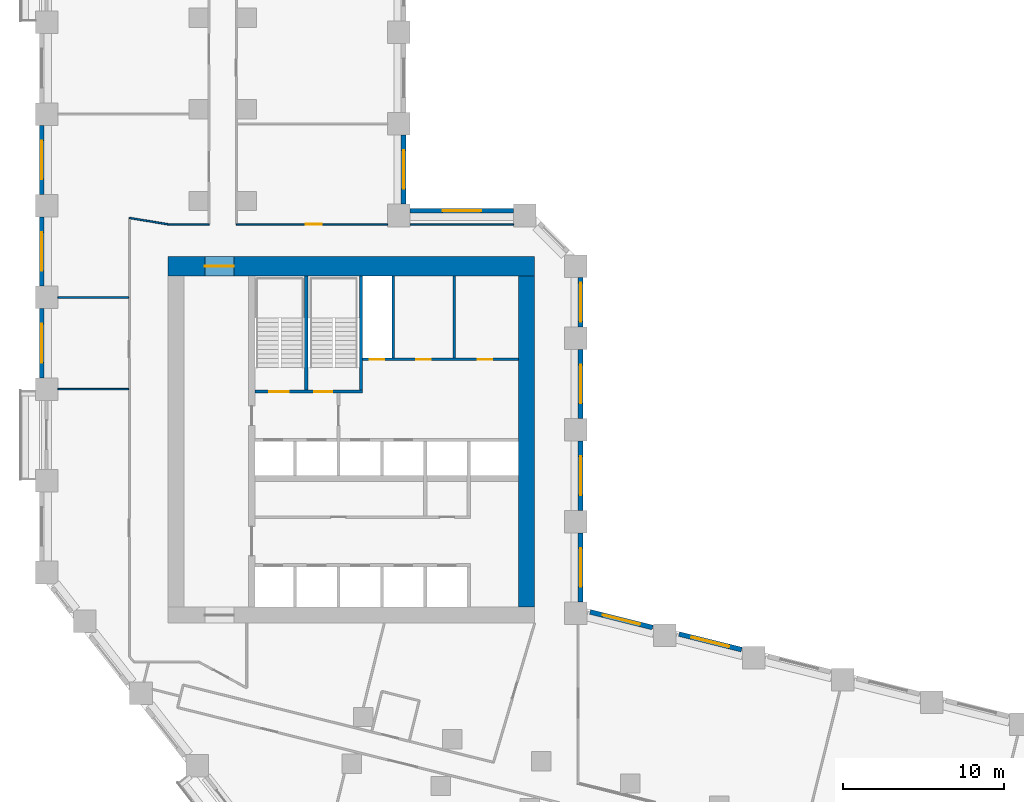
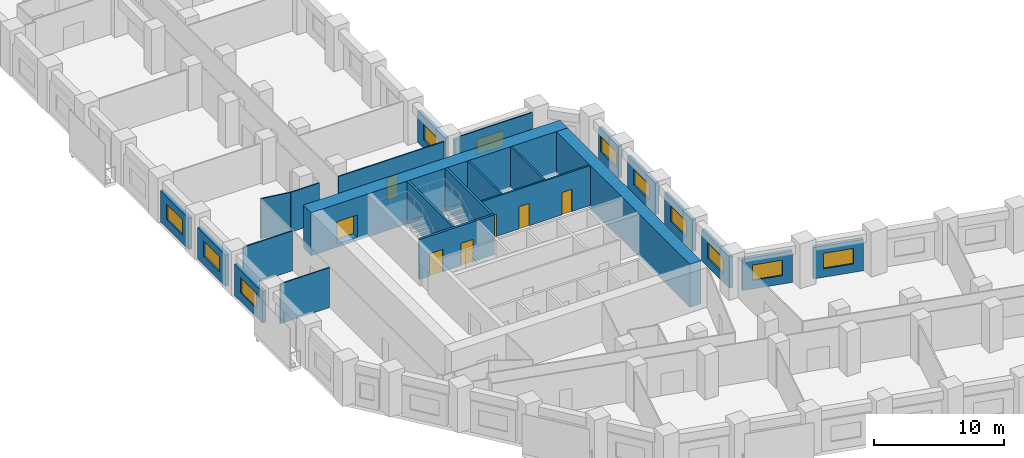
# One storey, part 6 of 12: 25 walls, 11 windows, 7 doors, 18 openings.
"""IFC4 building model written with IfcOpenShell, lengths in metres."""

from ifc_helpers import new_model, si_unit, direction, frame, frame_2d, origin, place, context, subcontext, project, spatial, rectangle, extrude, material, layer, layer_set, type_object, element, fill, save


model = new_model("IFC4")

# Units and contexts
model_context = context("Model", 3, precision=1e-05, world=origin(), true_north=direction((0.0, 1.0)))
body_context = subcontext(model_context, "Body", "Model", "MODEL_VIEW")
ifc_project = project(units=[si_unit("LENGTHUNIT", "METRE"), si_unit("AREAUNIT", "SQUARE_METRE"), si_unit("VOLUMEUNIT", "CUBIC_METRE"), si_unit("PLANEANGLEUNIT", "RADIAN"), si_unit("MASSUNIT", "GRAM", prefix="KILO")], contexts=[model_context])

# Site, building, storey
site_placement = place(None, origin())
site = spatial("IfcSite", under=ifc_project, at=site_placement, CompositionType="ELEMENT")
building_placement = place(site_placement, origin())
building = spatial("IfcBuilding", under=site, at=building_placement, Name="Meshkara Civic Tower", CompositionType="ELEMENT")
storey_placement = place(building_placement, frame((0.0, 0.0, 87.60009765625)))
storey = spatial("IfcBuildingStorey", under=building, at=storey_placement, Name="L19", CompositionType="ELEMENT", Elevation=87.60009765625)

# Wall, openings, doors
ifc_material_1 = material(Name="Blockwork", Category="masonry")
ifc_layer_1 = layer(ifc_material_1, 0.14990234375)
ifc_layer_set_1 = layer_set([ifc_layer_1], Name="Core partition 150")
wall_type_1 = type_object("IfcWallType", Name="Core partition 150", PredefinedType="PARTITIONING", material=ifc_layer_set_1)
wall_1_placement = place(storey_placement, frame((20.10009765625, 30.5, 0.0), z_axis=(0.0, 0.0, 1.0), x_axis=(1.0, 0.0, 0.0)))
wall_1 = element("IfcWall", 1, at=wall_1_placement, inside=storey, type_object=wall_type_1, Name="L19-C010", PredefinedType="PARTITIONING", context=body_context, shape_type="SweptSolid", body=[
    extrude(rectangle(XDim=9.699951171875, YDim=0.14990234375, at=frame_2d((4.85009765625, 0.0))), origin(), (0.0, 0.0, 1.0), 3.75),
])
opening_1_placement = place(wall_1_placement, frame((0.449951171875, 0.0, 0.0)))
opening_1 = element("IfcOpeningElement", 2, at=opening_1_placement, cuts=wall_1, Name="Opening L19-K012", PredefinedType="OPENING", context=body_context, shape_type="SweptSolid", body=[
    extrude(rectangle(XDim=0.89990234375, YDim=2.10009765625, at=frame_2d((0.449951171875, 1.050048828125))), frame((0.0, 0.0849609375, 0.0), z_axis=(0.0, -1.0, 0.0), x_axis=(1.0, 0.0, 0.0)), (0.0, 0.0, 1.0), 0.169921875),
])
opening_2_placement = place(wall_1_placement, frame((3.35009765625, 0.0, 0.0)))
opening_2 = element("IfcOpeningElement", 3, at=opening_2_placement, cuts=wall_1, Name="Opening L19-K013", PredefinedType="OPENING", context=body_context, shape_type="SweptSolid", body=[
    extrude(rectangle(XDim=0.89990234375, YDim=2.10009765625, at=frame_2d((0.449951171875, 1.050048828125))), frame((0.0, 0.0849609375, 0.0), z_axis=(0.0, -1.0, 0.0), x_axis=(1.0, 0.0, 0.0)), (0.0, 0.0, 1.0), 0.169921875),
])
opening_3_placement = place(wall_1_placement, frame((7.14990234375, 0.0, 0.0)))
opening_3 = element("IfcOpeningElement", 4, at=opening_3_placement, cuts=wall_1, Name="Opening L19-K014", PredefinedType="OPENING", context=body_context, shape_type="SweptSolid", body=[
    extrude(rectangle(XDim=0.89990234375, YDim=2.10009765625, at=frame_2d((0.449951171875, 1.050048828125))), frame((0.0, 0.0849609375, 0.0), z_axis=(0.0, -1.0, 0.0), x_axis=(1.0, 0.0, 0.0)), (0.0, 0.0, 1.0), 0.169921875),
])
ifc_material_2 = material(Name="Timber door leaf in steel frame", Category="steel")
door_type_1 = type_object("IfcDoorType", Name="Core room door 900", OperationType="SINGLE_SWING_LEFT", PredefinedType="DOOR", material=ifc_material_2)
door_1_placement = place(opening_2_placement, origin())
door_1 = element("IfcDoor", 5, at=door_1_placement, inside=storey, type_object=door_type_1, Name="L19-K013", OperationType="SINGLE_SWING_RIGHT", OverallHeight=2.10009765625, OverallWidth=0.89990234375, PredefinedType="DOOR", context=body_context, shape_type="SweptSolid", body=[
    extrude(rectangle(XDim=0.89990234375, YDim=2.10009765625, at=frame_2d((0.449951171875, 1.050048828125))), frame((0.0, 0.02490234375, 0.0), z_axis=(0.0, -1.0, 0.0), x_axis=(1.0, 0.0, 0.0)), (0.0, 0.0, 1.0), 0.050048828125),
])
fill(opening_2, door_1)
ifc_material_3 = material(Name="Fire-rated door leaf in steel frame", Category="steel")
door_type_2 = type_object("IfcDoorType", Name="Riser door 900", OperationType="SINGLE_SWING_LEFT", PredefinedType="DOOR", material=ifc_material_3)
door_2_placement = place(opening_1_placement, origin())
door_2 = element("IfcDoor", 6, at=door_2_placement, inside=storey, type_object=door_type_2, Name="L19-K012", OperationType="SINGLE_SWING_RIGHT", OverallHeight=2.10009765625, OverallWidth=0.89990234375, PredefinedType="DOOR", context=body_context, shape_type="SweptSolid", body=[
    extrude(rectangle(XDim=0.89990234375, YDim=2.10009765625, at=frame_2d((0.449951171875, 1.050048828125))), frame((0.0, 0.02490234375, 0.0), z_axis=(0.0, -1.0, 0.0), x_axis=(1.0, 0.0, 0.0)), (0.0, 0.0, 1.0), 0.050048828125),
])
fill(opening_1, door_2)
ifc_material_4 = material(Name="Timber door leaf in steel frame", Category="steel")
door_type_3 = type_object("IfcDoorType", Name="WC door 900", OperationType="SINGLE_SWING_LEFT", PredefinedType="DOOR", material=ifc_material_4)
door_3_placement = place(opening_3_placement, origin())
door_3 = element("IfcDoor", 7, at=door_3_placement, inside=storey, type_object=door_type_3, Name="L19-K014", OperationType="SINGLE_SWING_LEFT", OverallHeight=2.10009765625, OverallWidth=0.89990234375, PredefinedType="DOOR", context=body_context, shape_type="SweptSolid", body=[
    extrude(rectangle(XDim=0.89990234375, YDim=2.10009765625, at=frame_2d((0.449951171875, 1.050048828125))), frame((0.0, 0.02490234375, 0.0), z_axis=(0.0, -1.0, 0.0), x_axis=(1.0, 0.0, 0.0)), (0.0, 0.0, 1.0), 0.050048828125),
])
fill(opening_3, door_3)

# Walls
for number, where, z_axis, x_axis, name in (
    (8, (22.0, 30.574951171875, 0.0), (0.0, 0.0, 1.0), (0.0, 1.0, 0.0), "L19-C020"),
    (9, (25.800048828125, 30.574951171875, 0.0), (0.0, 0.0, 1.0), (0.0, 1.0, 0.0), "L19-C023"),
):
    element("IfcWall", number, at=place(storey_placement, frame(where, z_axis=z_axis, x_axis=x_axis)), inside=storey, type_object=wall_type_1, Name=name, PredefinedType="PARTITIONING", context=body_context, shape_type="SweptSolid", body=[
        extrude(rectangle(XDim=5.125, YDim=0.14990234375, at=frame_2d((2.5625, 0.0))), origin(), (0.0, 0.0, 1.0), 3.75),
    ])
ifc_material_5 = material(Name="Concrete C80", Category="concrete")
ifc_layer_2 = layer(ifc_material_5, 1.0)
ifc_layer_set_2 = layer_set([ifc_layer_2], Name="Core ring wall 1000 C80")
wall_type_2 = type_object("IfcWallType", Name="Core ring wall 1000 C80", PredefinedType="SHEAR", material=ifc_layer_set_2)
wall_2_placement = place(storey_placement, frame((30.300048828125, 15.10009765625, -0.300048828125), z_axis=(0.0, 0.0, 1.0), x_axis=(0.0, 1.0, 0.0)))
element("IfcWall", 10, at=wall_2_placement, inside=storey, type_object=wall_type_2, Name="L19-C004", PredefinedType="SHEAR", context=body_context, shape_type="SweptSolid", body=[
    extrude(rectangle(XDim=20.599853515625, YDim=1.0, at=frame_2d((10.2998046875, 0.0))), origin(), (0.0, 0.0, 1.0), 4.050048828125),
])

# Wall, opening, door
ifc_material_6 = material(Name="Concrete C80", Category="concrete")
ifc_layer_3 = layer(ifc_material_6, 1.199951171875)
ifc_layer_set_3 = layer_set([ifc_layer_3], Name="Core ring wall 1200 C80")
wall_type_3 = type_object("IfcWallType", Name="Core ring wall 1200 C80", PredefinedType="SHEAR", material=ifc_layer_set_3)
wall_3_placement = place(storey_placement, frame((8.0, 36.300048828125, -0.300048828125), z_axis=(0.0, 0.0, 1.0), x_axis=(1.0, 0.0, 0.0)))
wall_3 = element("IfcWall", 11, at=wall_3_placement, inside=storey, type_object=wall_type_3, Name="L19-C002", PredefinedType="SHEAR", context=body_context, shape_type="SweptSolid", body=[
    extrude(rectangle(XDim=22.800048828125, YDim=1.199951171875, at=frame_2d((11.39990234375, 0.0))), origin(), (0.0, 0.0, 1.0), 4.050048828125),
])
opening_4_placement = place(wall_3_placement, frame((2.300048828125, 0.0, 0.300048828125)))
opening_4 = element("IfcOpeningElement", 12, at=opening_4_placement, cuts=wall_3, Name="Opening L19-K020", PredefinedType="OPENING", context=body_context, shape_type="SweptSolid", body=[
    extrude(rectangle(XDim=1.800048828125, YDim=2.10009765625, at=frame_2d((0.89990234375, 1.050048828125))), frame((0.0, 0.60986328125, 0.0), z_axis=(0.0, -1.0, 0.0), x_axis=(1.0, 0.0, 0.0)), (0.0, 0.0, 1.0), 1.219970703125),
])
ifc_material_7 = material(Name="Fire-rated door leaf in steel frame", Category="steel")
door_type_4 = type_object("IfcDoorType", Name="Core double door 1800 EI 60", OperationType="DOUBLE_DOOR_SINGLE_SWING", PredefinedType="DOOR", material=ifc_material_7)
door_4_placement = place(opening_4_placement, origin())
door_4 = element("IfcDoor", 13, at=door_4_placement, inside=storey, type_object=door_type_4, Name="L19-K020", OperationType="DOUBLE_DOOR_SINGLE_SWING", OverallHeight=2.10009765625, OverallWidth=1.800048828125, PredefinedType="DOOR", context=body_context, shape_type="SweptSolid", body=[
    extrude(rectangle(XDim=1.800048828125, YDim=2.10009765625, at=frame_2d((0.89990234375, 1.050048828125))), frame((0.0, 0.02490234375, 0.0), z_axis=(0.0, -1.0, 0.0), x_axis=(1.0, 0.0, 0.0)), (0.0, 0.0, 1.0), 0.050048828125),
])
fill(opening_4, door_4)

# Walls
ifc_material_8 = material(Name="Corridor wall 100")
ifc_layer_4 = layer(ifc_material_8, 0.10009765625)
ifc_layer_set_4 = layer_set([ifc_layer_4], Name="Corridor wall 100")
wall_type_4 = type_object("IfcWallType", Name="Corridor wall 100", PredefinedType="PARTITIONING", material=ifc_layer_set_4)
wall_4_placement = place(storey_placement, frame((8.0, 38.89990234375, 0.0), z_axis=(0.0, 0.0, 1.0), x_axis=(-0.986383073668, 0.16446407505, 0.0)))
element("IfcWall", 14, at=wall_4_placement, inside=storey, type_object=wall_type_4, Name="L19-W007", PredefinedType="PARTITIONING", context=body_context, shape_type="SweptSolid", body=[
    extrude(rectangle(XDim=2.43310546875, YDim=0.10009765625, at=frame_2d((1.216552734375, 0.0))), origin(), (0.0, 0.0, 1.0), 3.75),
])
wall_5_placement = place(storey_placement, frame((10.550048828125, 38.89990234375, 0.0), z_axis=(0.0, 0.0, 1.0), x_axis=(-1.0, 0.0, 0.0)))
element("IfcWall", 15, at=wall_5_placement, inside=storey, type_object=wall_type_4, Name="L19-W012", PredefinedType="PARTITIONING", context=body_context, shape_type="SweptSolid", body=[
    extrude(rectangle(XDim=2.550048828125, YDim=0.10009765625, at=frame_2d((1.27490234375, 0.0))), origin(), (0.0, 0.0, 1.0), 3.75),
])

# Wall, opening, door
wall_6_placement = place(storey_placement, frame((21.64990234375, 38.89990234375, 0.0), z_axis=(0.0, 0.0, 1.0), x_axis=(-1.0, 0.0, 0.0)))
wall_6 = element("IfcWall", 16, at=wall_6_placement, inside=storey, type_object=wall_type_4, Name="L19-W019", PredefinedType="PARTITIONING", context=body_context, shape_type="SweptSolid", body=[
    extrude(rectangle(XDim=9.39990234375, YDim=0.10009765625, at=frame_2d((4.699951171875, 0.0))), origin(), (0.0, 0.0, 1.0), 3.75),
])
opening_5_placement = place(wall_6_placement, frame((4.080078125, 0.0, 0.0)))
opening_5 = element("IfcOpeningElement", 17, at=opening_5_placement, cuts=wall_6, Name="Opening L19-D020", PredefinedType="OPENING", context=body_context, shape_type="SweptSolid", body=[
    extrude(rectangle(XDim=1.0, YDim=2.10009765625, at=frame_2d((0.5, 1.050048828125))), frame((0.0, 0.06005859375, 0.0), z_axis=(0.0, -1.0, 0.0), x_axis=(1.0, 0.0, 0.0)), (0.0, 0.0, 1.0), 0.1201171875),
])
ifc_material_9 = material(Name="Door 1000 x 2100")
door_type_5 = type_object("IfcDoorType", Name="Door 1000 x 2100", OperationType="SINGLE_SWING_LEFT", PredefinedType="DOOR", material=ifc_material_9)
door_5_placement = place(opening_5_placement, origin())
door_5 = element("IfcDoor", 18, at=door_5_placement, inside=storey, type_object=door_type_5, Name="L19-D020", OperationType="SINGLE_SWING_RIGHT", OverallHeight=2.10009765625, OverallWidth=1.0, PredefinedType="DOOR", context=body_context, shape_type="SweptSolid", body=[
    extrude(rectangle(XDim=1.0, YDim=2.10009765625, at=frame_2d((0.5, 1.050048828125))), frame((0.0, 0.02490234375, 0.0), z_axis=(0.0, -1.0, 0.0), x_axis=(1.0, 0.0, 0.0)), (0.0, 0.0, 1.0), 0.050048828125),
])
fill(opening_5, door_5)

# Wall
wall_7_placement = place(storey_placement, frame((29.493896484375, 38.89990234375, 0.0), z_axis=(0.0, 0.0, 1.0), x_axis=(-1.0, 0.0, 0.0)))
element("IfcWall", 19, at=wall_7_placement, inside=storey, type_object=wall_type_4, Name="L19-W020", PredefinedType="PARTITIONING", context=body_context, shape_type="SweptSolid", body=[
    extrude(rectangle(XDim=6.44384765625, YDim=0.10009765625, at=frame_2d((3.221923828125, 0.0))), origin(), (0.0, 0.0, 1.0), 3.75),
])

# Wall, opening, window
ifc_material_10 = material(Name="Insulated infill panel with bronze anodised aluminium cladding", Category="aluminium")
ifc_layer_5 = layer(ifc_material_10, 0.300048828125)
ifc_layer_set_5 = layer_set([ifc_layer_5], Name="EXTERNAL INFILL WALL 300")
wall_type_5 = type_object("IfcWallType", Name="EXTERNAL INFILL WALL 300", PredefinedType="SOLIDWALL", material=ifc_layer_set_5)
wall_8_placement = place(storey_placement, frame((43.659912109375, 12.4580078125, 0.0), z_axis=(0.0, 0.0, 1.0), x_axis=(-0.970300202301, 0.241903942538, 0.0)))
wall_8 = element("IfcWall", 20, at=wall_8_placement, inside=storey, type_object=wall_type_5, Name="External wall", PredefinedType="SOLIDWALL", context=body_context, shape_type="SweptSolid", body=[
    extrude(rectangle(XDim=4.001708984375, YDim=0.300048828125, at=frame_2d((2.0009765625, 0.0))), origin(), (0.0, 0.0, 1.0), 2.949951171875),
])
opening_6_placement = place(wall_8_placement, frame((0.801025390625, 0.0, 0.800048828125)))
opening_6 = element("IfcOpeningElement", 21, at=opening_6_placement, cuts=wall_8, Name="Opening W8", PredefinedType="OPENING", context=body_context, shape_type="SweptSolid", body=[
    extrude(rectangle(XDim=2.39990234375, YDim=1.449951171875, at=frame_2d((1.199951171875, 0.72509765625))), frame((0.0, 0.159912109375, 0.0), z_axis=(0.0, -1.0, 0.0), x_axis=(1.0, 0.0, 0.0)), (0.0, 0.0, 1.0), 0.320068359375),
])
ifc_material_11 = material(Name="Tinted double glazing", Category="glass")
window_type = type_object("IfcWindowType", Name="WINDOW 2400x1450", PartitioningType="DOUBLE_PANEL_VERTICAL", PredefinedType="WINDOW", material=ifc_material_11)
window_1_placement = place(opening_6_placement, origin())
window_1 = element("IfcWindow", 22, at=window_1_placement, inside=storey, type_object=window_type, Name="Window", OverallHeight=1.449951171875, OverallWidth=2.39990234375, PartitioningType="DOUBLE_PANEL_VERTICAL", PredefinedType="WINDOW", context=body_context, shape_type="SweptSolid", body=[
    extrude(rectangle(XDim=2.39990234375, YDim=1.449951171875, at=frame_2d((1.199951171875, 0.72509765625))), frame((0.0, 0.030029296875, 0.0), z_axis=(0.0, -1.0, 0.0), x_axis=(1.0, 0.0, 0.0)), (0.0, 0.0, 1.0), 0.06005859375),
])
fill(opening_6, window_1)

wall_9_placement = place(storey_placement, frame((38.1298828125, 13.8369140625, 0.0), z_axis=(0.0, 0.0, 1.0), x_axis=(-0.970314477803, 0.241846674911, 0.0)))
wall_9 = element("IfcWall", 23, at=wall_9_placement, inside=storey, type_object=wall_type_5, Name="External wall", PredefinedType="SOLIDWALL", context=body_context, shape_type="SweptSolid", body=[
    extrude(rectangle(XDim=4.002685546875, YDim=0.300048828125, at=frame_2d((2.00146484375, 0.0))), origin(), (0.0, 0.0, 1.0), 2.949951171875),
])
opening_7_placement = place(wall_9_placement, frame((0.802001953125, 0.0, 0.800048828125)))
opening_7 = element("IfcOpeningElement", 24, at=opening_7_placement, cuts=wall_9, Name="Opening W8", PredefinedType="OPENING", context=body_context, shape_type="SweptSolid", body=[
    extrude(rectangle(XDim=2.39990234375, YDim=1.449951171875, at=frame_2d((1.199951171875, 0.72509765625))), frame((0.0, 0.159912109375, 0.0), z_axis=(0.0, -1.0, 0.0), x_axis=(1.0, 0.0, 0.0)), (0.0, 0.0, 1.0), 0.320068359375),
])
window_2_placement = place(opening_7_placement, origin())
window_2 = element("IfcWindow", 25, at=window_2_placement, inside=storey, type_object=window_type, Name="Window", OverallHeight=1.449951171875, OverallWidth=2.39990234375, PartitioningType="DOUBLE_PANEL_VERTICAL", PredefinedType="WINDOW", context=body_context, shape_type="SweptSolid", body=[
    extrude(rectangle(XDim=2.39990234375, YDim=1.449951171875, at=frame_2d((1.199951171875, 0.72509765625))), frame((0.0, 0.030029296875, 0.0), z_axis=(0.0, -1.0, 0.0), x_axis=(1.0, 0.0, 0.0)), (0.0, 0.0, 1.0), 0.06005859375),
])
fill(opening_7, window_2)

wall_10_placement = place(storey_placement, frame((33.64990234375, 15.4189453125, 0.0), z_axis=(0.0, 0.0, 1.0), x_axis=(0.0, 1.0, 0.0)))
wall_10 = element("IfcWall", 26, at=wall_10_placement, inside=storey, type_object=wall_type_5, Name="External wall", PredefinedType="SOLIDWALL", context=body_context, shape_type="SweptSolid", body=[
    extrude(rectangle(XDim=4.300048828125, YDim=0.300048828125, at=frame_2d((2.14990234375, 0.0))), origin(), (0.0, 0.0, 1.0), 2.949951171875),
])
opening_8_placement = place(wall_10_placement, frame((0.949951171875, 0.0, 0.800048828125)))
opening_8 = element("IfcOpeningElement", 27, at=opening_8_placement, cuts=wall_10, Name="Opening W8", PredefinedType="OPENING", context=body_context, shape_type="SweptSolid", body=[
    extrude(rectangle(XDim=2.39990234375, YDim=1.449951171875, at=frame_2d((1.199951171875, 0.72509765625))), frame((0.0, 0.159912109375, 0.0), z_axis=(0.0, -1.0, 0.0), x_axis=(1.0, 0.0, 0.0)), (0.0, 0.0, 1.0), 0.320068359375),
])
window_3_placement = place(opening_8_placement, origin())
window_3 = element("IfcWindow", 28, at=window_3_placement, inside=storey, type_object=window_type, Name="Window", OverallHeight=1.449951171875, OverallWidth=2.39990234375, PartitioningType="DOUBLE_PANEL_VERTICAL", PredefinedType="WINDOW", context=body_context, shape_type="SweptSolid", body=[
    extrude(rectangle(XDim=2.39990234375, YDim=1.449951171875, at=frame_2d((1.199951171875, 0.72509765625))), frame((0.0, 0.030029296875, 0.0), z_axis=(0.0, -1.0, 0.0), x_axis=(1.0, 0.0, 0.0)), (0.0, 0.0, 1.0), 0.06005859375),
])
fill(opening_8, window_3)

wall_11_placement = place(storey_placement, frame((33.64990234375, 21.118896484375, 0.0), z_axis=(0.0, 0.0, 1.0), x_axis=(0.0, 1.0, 0.0)))
wall_11 = element("IfcWall", 29, at=wall_11_placement, inside=storey, type_object=wall_type_5, Name="External wall", PredefinedType="SOLIDWALL", context=body_context, shape_type="SweptSolid", body=[
    extrude(rectangle(XDim=4.300048828125, YDim=0.300048828125, at=frame_2d((2.14990234375, 0.0))), origin(), (0.0, 0.0, 1.0), 2.949951171875),
])
opening_9_placement = place(wall_11_placement, frame((0.949951171875, 0.0, 0.800048828125)))
opening_9 = element("IfcOpeningElement", 30, at=opening_9_placement, cuts=wall_11, Name="Opening W8", PredefinedType="OPENING", context=body_context, shape_type="SweptSolid", body=[
    extrude(rectangle(XDim=2.39990234375, YDim=1.449951171875, at=frame_2d((1.199951171875, 0.72509765625))), frame((0.0, 0.159912109375, 0.0), z_axis=(0.0, -1.0, 0.0), x_axis=(1.0, 0.0, 0.0)), (0.0, 0.0, 1.0), 0.320068359375),
])
window_4_placement = place(opening_9_placement, origin())
window_4 = element("IfcWindow", 31, at=window_4_placement, inside=storey, type_object=window_type, Name="Window", OverallHeight=1.449951171875, OverallWidth=2.39990234375, PartitioningType="DOUBLE_PANEL_VERTICAL", PredefinedType="WINDOW", context=body_context, shape_type="SweptSolid", body=[
    extrude(rectangle(XDim=2.39990234375, YDim=1.449951171875, at=frame_2d((1.199951171875, 0.72509765625))), frame((0.0, 0.030029296875, 0.0), z_axis=(0.0, -1.0, 0.0), x_axis=(1.0, 0.0, 0.0)), (0.0, 0.0, 1.0), 0.06005859375),
])
fill(opening_9, window_4)

wall_12_placement = place(storey_placement, frame((33.64990234375, 26.819091796875, 0.0), z_axis=(0.0, 0.0, 1.0), x_axis=(0.0, 1.0, 0.0)))
wall_12 = element("IfcWall", 32, at=wall_12_placement, inside=storey, type_object=wall_type_5, Name="External wall", PredefinedType="SOLIDWALL", context=body_context, shape_type="SweptSolid", body=[
    extrude(rectangle(XDim=4.2998046875, YDim=0.300048828125, at=frame_2d((2.14990234375, 0.0))), origin(), (0.0, 0.0, 1.0), 2.949951171875),
])
opening_10_placement = place(wall_12_placement, frame((0.949951171875, 0.0, 0.800048828125)))
opening_10 = element("IfcOpeningElement", 33, at=opening_10_placement, cuts=wall_12, Name="Opening W8", PredefinedType="OPENING", context=body_context, shape_type="SweptSolid", body=[
    extrude(rectangle(XDim=2.39990234375, YDim=1.449951171875, at=frame_2d((1.199951171875, 0.72509765625))), frame((0.0, 0.159912109375, 0.0), z_axis=(0.0, -1.0, 0.0), x_axis=(1.0, 0.0, 0.0)), (0.0, 0.0, 1.0), 0.320068359375),
])
window_5_placement = place(opening_10_placement, origin())
window_5 = element("IfcWindow", 34, at=window_5_placement, inside=storey, type_object=window_type, Name="Window", OverallHeight=1.449951171875, OverallWidth=2.39990234375, PartitioningType="DOUBLE_PANEL_VERTICAL", PredefinedType="WINDOW", context=body_context, shape_type="SweptSolid", body=[
    extrude(rectangle(XDim=2.39990234375, YDim=1.449951171875, at=frame_2d((1.199951171875, 0.72509765625))), frame((0.0, 0.030029296875, 0.0), z_axis=(0.0, -1.0, 0.0), x_axis=(1.0, 0.0, 0.0)), (0.0, 0.0, 1.0), 0.06005859375),
])
fill(opening_10, window_5)

wall_13_placement = place(storey_placement, frame((33.64990234375, 32.51904296875, 0.0), z_axis=(0.0, 0.0, 1.0), x_axis=(0.0, 1.0, 0.0)))
wall_13 = element("IfcWall", 35, at=wall_13_placement, inside=storey, type_object=wall_type_5, Name="External wall", PredefinedType="SOLIDWALL", context=body_context, shape_type="SweptSolid", body=[
    extrude(rectangle(XDim=3.074951171875, YDim=0.300048828125, at=frame_2d((1.53759765625, 0.0))), origin(), (0.0, 0.0, 1.0), 2.949951171875),
])
opening_11_placement = place(wall_13_placement, frame((0.337890625, 0.0, 0.800048828125)))
opening_11 = element("IfcOpeningElement", 36, at=opening_11_placement, cuts=wall_13, Name="Opening W8", PredefinedType="OPENING", context=body_context, shape_type="SweptSolid", body=[
    extrude(rectangle(XDim=2.39990234375, YDim=1.449951171875, at=frame_2d((1.199951171875, 0.72509765625))), frame((0.0, 0.159912109375, 0.0), z_axis=(0.0, -1.0, 0.0), x_axis=(1.0, 0.0, 0.0)), (0.0, 0.0, 1.0), 0.320068359375),
])
window_6_placement = place(opening_11_placement, origin())
window_6 = element("IfcWindow", 37, at=window_6_placement, inside=storey, type_object=window_type, Name="Window", OverallHeight=1.449951171875, OverallWidth=2.39990234375, PartitioningType="DOUBLE_PANEL_VERTICAL", PredefinedType="WINDOW", context=body_context, shape_type="SweptSolid", body=[
    extrude(rectangle(XDim=2.39990234375, YDim=1.449951171875, at=frame_2d((1.199951171875, 0.72509765625))), frame((0.0, 0.030029296875, 0.0), z_axis=(0.0, -1.0, 0.0), x_axis=(1.0, 0.0, 0.0)), (0.0, 0.0, 1.0), 0.06005859375),
])
fill(opening_11, window_6)

wall_14_placement = place(storey_placement, frame((29.493896484375, 39.75, 0.0), z_axis=(0.0, 0.0, 1.0), x_axis=(-1.0, 0.0, 0.0)))
wall_14 = element("IfcWall", 38, at=wall_14_placement, inside=storey, type_object=wall_type_5, Name="External wall", PredefinedType="SOLIDWALL", context=body_context, shape_type="SweptSolid", body=[
    extrude(rectangle(XDim=6.44384765625, YDim=0.300048828125, at=frame_2d((3.221923828125, 0.0))), origin(), (0.0, 0.0, 1.0), 2.949951171875),
])
opening_12_placement = place(wall_14_placement, frame((2.02197265625, 0.0, 0.800048828125)))
opening_12 = element("IfcOpeningElement", 39, at=opening_12_placement, cuts=wall_14, Name="Opening W8", PredefinedType="OPENING", context=body_context, shape_type="SweptSolid", body=[
    extrude(rectangle(XDim=2.39990234375, YDim=1.449951171875, at=frame_2d((1.199951171875, 0.72509765625))), frame((0.0, 0.159912109375, 0.0), z_axis=(0.0, -1.0, 0.0), x_axis=(1.0, 0.0, 0.0)), (0.0, 0.0, 1.0), 0.320068359375),
])
window_7_placement = place(opening_12_placement, origin())
window_7 = element("IfcWindow", 40, at=window_7_placement, inside=storey, type_object=window_type, Name="Window", OverallHeight=1.449951171875, OverallWidth=2.39990234375, PartitioningType="DOUBLE_PANEL_VERTICAL", PredefinedType="WINDOW", context=body_context, shape_type="SweptSolid", body=[
    extrude(rectangle(XDim=2.39990234375, YDim=1.449951171875, at=frame_2d((1.199951171875, 0.72509765625))), frame((0.0, 0.030029296875, 0.0), z_axis=(0.0, -1.0, 0.0), x_axis=(1.0, 0.0, 0.0)), (0.0, 0.0, 1.0), 0.06005859375),
])
fill(opening_12, window_7)

wall_15_placement = place(storey_placement, frame((22.64990234375, 40.14990234375, 0.0), z_axis=(0.0, 0.0, 1.0), x_axis=(0.0, 1.0, 0.0)))
wall_15 = element("IfcWall", 41, at=wall_15_placement, inside=storey, type_object=wall_type_5, Name="External wall", PredefinedType="SOLIDWALL", context=body_context, shape_type="SweptSolid", body=[
    extrude(rectangle(XDim=4.300048828125, YDim=0.300048828125, at=frame_2d((2.14990234375, 0.0))), origin(), (0.0, 0.0, 1.0), 2.949951171875),
])
opening_13_placement = place(wall_15_placement, frame((0.949951171875, 0.0, 0.800048828125)))
opening_13 = element("IfcOpeningElement", 42, at=opening_13_placement, cuts=wall_15, Name="Opening W8", PredefinedType="OPENING", context=body_context, shape_type="SweptSolid", body=[
    extrude(rectangle(XDim=2.39990234375, YDim=1.449951171875, at=frame_2d((1.199951171875, 0.72509765625))), frame((0.0, 0.159912109375, 0.0), z_axis=(0.0, -1.0, 0.0), x_axis=(1.0, 0.0, 0.0)), (0.0, 0.0, 1.0), 0.320068359375),
])
window_8_placement = place(opening_13_placement, origin())
window_8 = element("IfcWindow", 43, at=window_8_placement, inside=storey, type_object=window_type, Name="Window", OverallHeight=1.449951171875, OverallWidth=2.39990234375, PartitioningType="DOUBLE_PANEL_VERTICAL", PredefinedType="WINDOW", context=body_context, shape_type="SweptSolid", body=[
    extrude(rectangle(XDim=2.39990234375, YDim=1.449951171875, at=frame_2d((1.199951171875, 0.72509765625))), frame((0.0, 0.030029296875, 0.0), z_axis=(0.0, -1.0, 0.0), x_axis=(1.0, 0.0, 0.0)), (0.0, 0.0, 1.0), 0.06005859375),
])
fill(opening_13, window_8)

wall_16_placement = place(storey_placement, frame((0.14990234375, 45.054931640625, 0.0), z_axis=(0.0, 0.0, 1.0), x_axis=(0.0, -1.0, 0.0)))
wall_16 = element("IfcWall", 44, at=wall_16_placement, inside=storey, type_object=wall_type_5, Name="External wall", PredefinedType="SOLIDWALL", context=body_context, shape_type="SweptSolid", body=[
    extrude(rectangle(XDim=4.300048828125, YDim=0.300048828125, at=frame_2d((2.14990234375, 0.0))), origin(), (0.0, 0.0, 1.0), 2.949951171875),
])
opening_14_placement = place(wall_16_placement, frame((0.949951171875, 0.0, 0.800048828125)))
opening_14 = element("IfcOpeningElement", 45, at=opening_14_placement, cuts=wall_16, Name="Opening W8", PredefinedType="OPENING", context=body_context, shape_type="SweptSolid", body=[
    extrude(rectangle(XDim=2.39990234375, YDim=1.449951171875, at=frame_2d((1.199951171875, 0.72509765625))), frame((0.0, 0.159912109375, 0.0), z_axis=(0.0, -1.0, 0.0), x_axis=(1.0, 0.0, 0.0)), (0.0, 0.0, 1.0), 0.320068359375),
])
window_9_placement = place(opening_14_placement, origin())
window_9 = element("IfcWindow", 46, at=window_9_placement, inside=storey, type_object=window_type, Name="Window", OverallHeight=1.449951171875, OverallWidth=2.39990234375, PartitioningType="DOUBLE_PANEL_VERTICAL", PredefinedType="WINDOW", context=body_context, shape_type="SweptSolid", body=[
    extrude(rectangle(XDim=2.39990234375, YDim=1.449951171875, at=frame_2d((1.199951171875, 0.72509765625))), frame((0.0, 0.030029296875, 0.0), z_axis=(0.0, -1.0, 0.0), x_axis=(1.0, 0.0, 0.0)), (0.0, 0.0, 1.0), 0.06005859375),
])
fill(opening_14, window_9)

wall_17_placement = place(storey_placement, frame((0.14990234375, 39.35498046875, 0.0), z_axis=(0.0, 0.0, 1.0), x_axis=(0.0, -1.0, 0.0)))
wall_17 = element("IfcWall", 47, at=wall_17_placement, inside=storey, type_object=wall_type_5, Name="External wall", PredefinedType="SOLIDWALL", context=body_context, shape_type="SweptSolid", body=[
    extrude(rectangle(XDim=4.300048828125, YDim=0.300048828125, at=frame_2d((2.14990234375, 0.0))), origin(), (0.0, 0.0, 1.0), 2.949951171875),
])
opening_15_placement = place(wall_17_placement, frame((0.949951171875, 0.0, 0.800048828125)))
opening_15 = element("IfcOpeningElement", 48, at=opening_15_placement, cuts=wall_17, Name="Opening W8", PredefinedType="OPENING", context=body_context, shape_type="SweptSolid", body=[
    extrude(rectangle(XDim=2.39990234375, YDim=1.449951171875, at=frame_2d((1.199951171875, 0.72509765625))), frame((0.0, 0.159912109375, 0.0), z_axis=(0.0, -1.0, 0.0), x_axis=(1.0, 0.0, 0.0)), (0.0, 0.0, 1.0), 0.320068359375),
])
window_10_placement = place(opening_15_placement, origin())
window_10 = element("IfcWindow", 49, at=window_10_placement, inside=storey, type_object=window_type, Name="Window", OverallHeight=1.449951171875, OverallWidth=2.39990234375, PartitioningType="DOUBLE_PANEL_VERTICAL", PredefinedType="WINDOW", context=body_context, shape_type="SweptSolid", body=[
    extrude(rectangle(XDim=2.39990234375, YDim=1.449951171875, at=frame_2d((1.199951171875, 0.72509765625))), frame((0.0, 0.030029296875, 0.0), z_axis=(0.0, -1.0, 0.0), x_axis=(1.0, 0.0, 0.0)), (0.0, 0.0, 1.0), 0.06005859375),
])
fill(opening_15, window_10)

wall_18_placement = place(storey_placement, frame((0.14990234375, 33.655029296875, 0.0), z_axis=(0.0, 0.0, 1.0), x_axis=(0.0, -1.0, 0.0)))
wall_18 = element("IfcWall", 50, at=wall_18_placement, inside=storey, type_object=wall_type_5, Name="External wall", PredefinedType="SOLIDWALL", context=body_context, shape_type="SweptSolid", body=[
    extrude(rectangle(XDim=4.300048828125, YDim=0.300048828125, at=frame_2d((2.14990234375, 0.0))), origin(), (0.0, 0.0, 1.0), 2.949951171875),
])
opening_16_placement = place(wall_18_placement, frame((0.949951171875, 0.0, 0.800048828125)))
opening_16 = element("IfcOpeningElement", 51, at=opening_16_placement, cuts=wall_18, Name="Opening W8", PredefinedType="OPENING", context=body_context, shape_type="SweptSolid", body=[
    extrude(rectangle(XDim=2.39990234375, YDim=1.449951171875, at=frame_2d((1.199951171875, 0.72509765625))), frame((0.0, 0.159912109375, 0.0), z_axis=(0.0, -1.0, 0.0), x_axis=(1.0, 0.0, 0.0)), (0.0, 0.0, 1.0), 0.320068359375),
])
window_11_placement = place(opening_16_placement, origin())
window_11 = element("IfcWindow", 52, at=window_11_placement, inside=storey, type_object=window_type, Name="Window", OverallHeight=1.449951171875, OverallWidth=2.39990234375, PartitioningType="DOUBLE_PANEL_VERTICAL", PredefinedType="WINDOW", context=body_context, shape_type="SweptSolid", body=[
    extrude(rectangle(XDim=2.39990234375, YDim=1.449951171875, at=frame_2d((1.199951171875, 0.72509765625))), frame((0.0, 0.030029296875, 0.0), z_axis=(0.0, -1.0, 0.0), x_axis=(1.0, 0.0, 0.0)), (0.0, 0.0, 1.0), 0.06005859375),
])
fill(opening_16, window_11)

# Walls
ifc_material_12 = material(Name="Partition 100")
ifc_layer_6 = layer(ifc_material_12, 0.10009765625)
ifc_layer_set_6 = layer_set([ifc_layer_6], Name="Partition 100")
wall_type_6 = type_object("IfcWallType", Name="Partition 100", PredefinedType="PARTITIONING", material=ifc_layer_set_6)
for number, where, z_axis, x_axis, name in (
    (53, (5.550048828125, 28.655029296875, 0.0), (0.0, 0.0, 1.0), (-1.0, 0.0, 0.0), "L19-W032"),
    (54, (5.550048828125, 34.35498046875, 0.0), (0.0, 0.0, 1.0), (-1.0, 0.0, 0.0), "L19-W033"),
):
    element("IfcWall", number, at=place(storey_placement, frame(where, z_axis=z_axis, x_axis=x_axis)), inside=storey, type_object=wall_type_6, Name=name, PredefinedType="PARTITIONING", context=body_context, shape_type="SweptSolid", body=[
        extrude(rectangle(XDim=4.400146484375, YDim=0.10009765625, at=frame_2d((2.2001953125, 0.0))), origin(), (0.0, 0.0, 1.0), 3.75),
    ])

# Wall, openings, doors
ifc_material_13 = material(Name="Concrete C40/50", Category="concrete")
ifc_layer_7 = layer(ifc_material_13, 0.199951171875)
ifc_layer_set_7 = layer_set([ifc_layer_7], Name="Stair enclosure wall 200 C40/50")
wall_type_7 = type_object("IfcWallType", Name="Stair enclosure wall 200 C40/50", PredefinedType="SOLIDWALL", material=ifc_layer_set_7)
wall_19_placement = place(storey_placement, frame((13.39990234375, 28.5, 0.0), z_axis=(0.0, 0.0, 1.0), x_axis=(1.0, 0.0, 0.0)))
wall_19 = element("IfcWall", 55, at=wall_19_placement, inside=storey, type_object=wall_type_7, Name="L19-C009", PredefinedType="SOLIDWALL", context=body_context, shape_type="SweptSolid", body=[
    extrude(rectangle(XDim=6.7001953125, YDim=0.199951171875, at=frame_2d((3.35009765625, 0.0))), origin(), (0.0, 0.0, 1.0), 3.75),
])
opening_17_placement = place(wall_19_placement, frame((0.89990234375, 0.0, 0.0)))
opening_17 = element("IfcOpeningElement", 56, at=opening_17_placement, cuts=wall_19, Name="Opening L19-K015", PredefinedType="OPENING", context=body_context, shape_type="SweptSolid", body=[
    extrude(rectangle(XDim=1.199951171875, YDim=2.10009765625, at=frame_2d((0.60009765625, 1.050048828125))), frame((0.0, 0.10986328125, 0.0), z_axis=(0.0, -1.0, 0.0), x_axis=(1.0, 0.0, 0.0)), (0.0, 0.0, 1.0), 0.219970703125),
])
opening_18_placement = place(wall_19_placement, frame((3.699951171875, 0.0, 0.0)))
opening_18 = element("IfcOpeningElement", 57, at=opening_18_placement, cuts=wall_19, Name="Opening L19-K016", PredefinedType="OPENING", context=body_context, shape_type="SweptSolid", body=[
    extrude(rectangle(XDim=1.10009765625, YDim=2.10009765625, at=frame_2d((0.550048828125, 1.050048828125))), frame((0.0, 0.10986328125, 0.0), z_axis=(0.0, -1.0, 0.0), x_axis=(1.0, 0.0, 0.0)), (0.0, 0.0, 1.0), 0.219970703125),
])
ifc_material_14 = material(Name="Fire-rated door leaf in steel frame", Category="steel")
door_type_6 = type_object("IfcDoorType", Name="Stair door 1100 EI 120", OperationType="SINGLE_SWING_LEFT", PredefinedType="DOOR", material=ifc_material_14)
door_6_placement = place(opening_18_placement, origin())
door_6 = element("IfcDoor", 58, at=door_6_placement, inside=storey, type_object=door_type_6, Name="L19-K016", OperationType="SINGLE_SWING_LEFT", OverallHeight=2.10009765625, OverallWidth=1.10009765625, PredefinedType="DOOR", context=body_context, shape_type="SweptSolid", body=[
    extrude(rectangle(XDim=1.10009765625, YDim=2.10009765625, at=frame_2d((0.550048828125, 1.050048828125))), frame((0.0, 0.02490234375, 0.0), z_axis=(0.0, -1.0, 0.0), x_axis=(1.0, 0.0, 0.0)), (0.0, 0.0, 1.0), 0.050048828125),
])
fill(opening_18, door_6)
ifc_material_15 = material(Name="Fire-rated door leaf in steel frame", Category="steel")
door_type_7 = type_object("IfcDoorType", Name="Stair door 1200 EI 120", OperationType="SINGLE_SWING_LEFT", PredefinedType="DOOR", material=ifc_material_15)
door_7_placement = place(opening_17_placement, origin())
door_7 = element("IfcDoor", 59, at=door_7_placement, inside=storey, type_object=door_type_7, Name="L19-K015", OperationType="SINGLE_SWING_RIGHT", OverallHeight=2.10009765625, OverallWidth=1.199951171875, PredefinedType="DOOR", context=body_context, shape_type="SweptSolid", body=[
    extrude(rectangle(XDim=1.199951171875, YDim=2.10009765625, at=frame_2d((0.60009765625, 1.050048828125))), frame((0.0, 0.02490234375, 0.0), z_axis=(0.0, -1.0, 0.0), x_axis=(1.0, 0.0, 0.0)), (0.0, 0.0, 1.0), 0.050048828125),
])
fill(opening_17, door_7)

# Walls
for number, where, z_axis, x_axis, name in (
    (60, (16.60009765625, 28.60009765625, 0.0), (0.0, 0.0, 1.0), (0.0, 1.0, 0.0), "L19-C014"),
    (61, (20.0, 28.60009765625, 0.0), (0.0, 0.0, 1.0), (0.0, 1.0, 0.0), "L19-C017"),
):
    element("IfcWall", number, at=place(storey_placement, frame(where, z_axis=z_axis, x_axis=x_axis)), inside=storey, type_object=wall_type_7, Name=name, PredefinedType="SOLIDWALL", context=body_context, shape_type="SweptSolid", body=[
        extrude(rectangle(XDim=7.099853515625, YDim=0.199951171875, at=frame_2d((3.5498046875, 0.0))), origin(), (0.0, 0.0, 1.0), 3.75),
    ])

save(model, "model.ifc")
